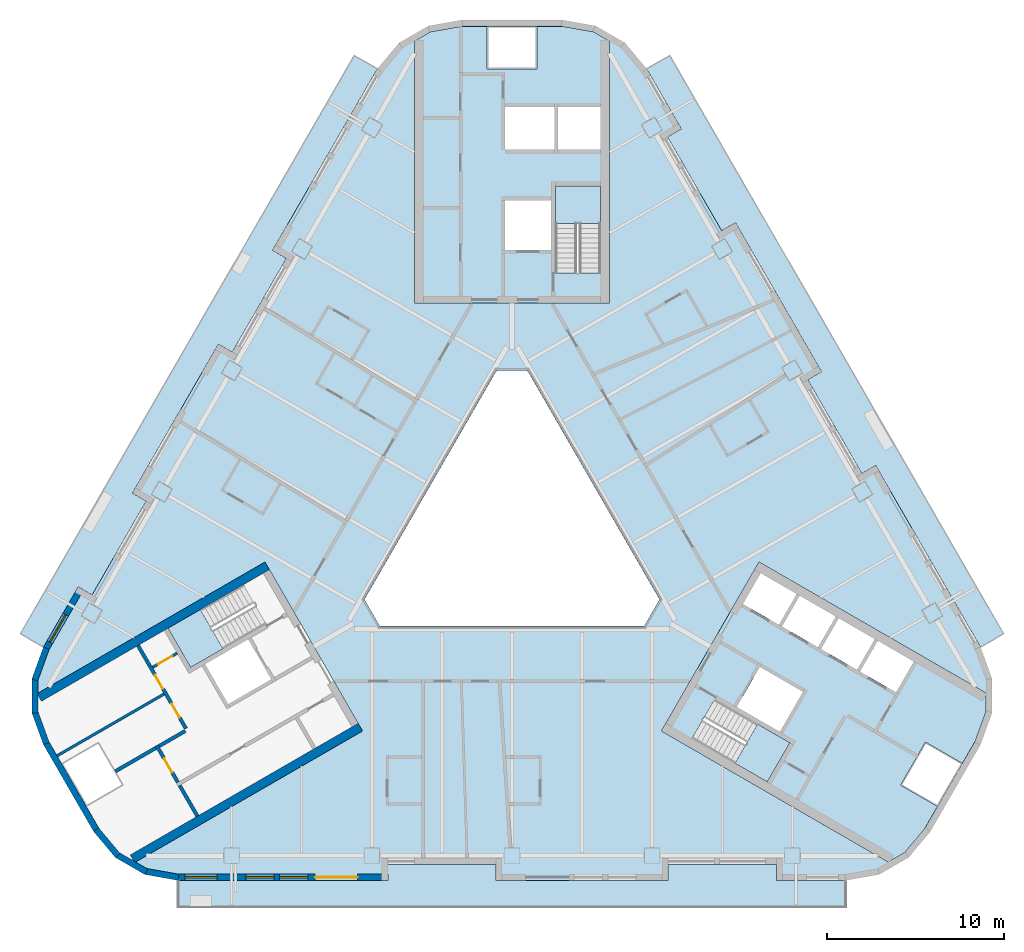
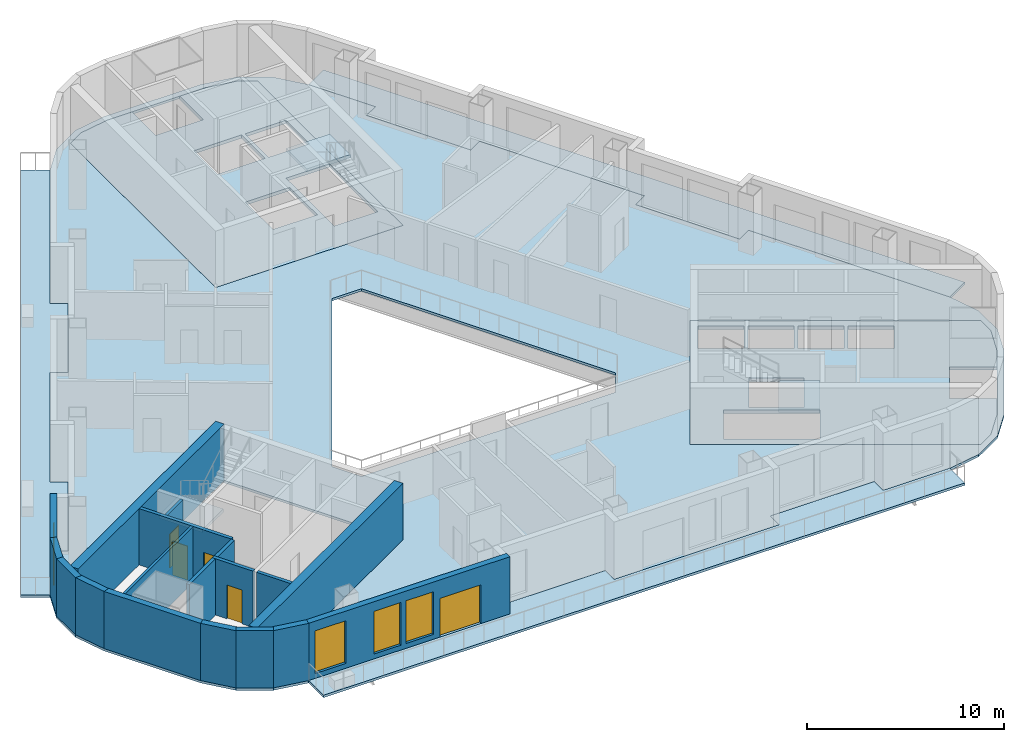
# One storey, part 2 of 13: 18 walls, 9 slabs, 5 doors, 4 windows, 9 openings, 3 elements without a shape of their own.
"""IFC4 building model written with IfcOpenShell, lengths in metres."""

import ifcopenshell
import ifcopenshell.guid

model = None  # the IFC model being written
_history = None  # IfcOwnerHistory: only IFC2X3 demands one
_inside = {}  # id of a spatial element -> (the spatial element, [elements in it])
_under = {}  # id of a project, library or spatial element -> (it, [spatial elements below it])
_declared = {}  # id of a project -> (the project, [libraries it declares])
_typed = {}  # id of a type object -> (the type object, [elements of that type])
_made_of = {}  # id of a material, layer set ... -> (it, [elements and type objects made of it])


def new_model(schema):
    """Start an empty IFC model of exactly this schema.

    Asked for "IFC4X3", IfcOpenShell would pick the latest addendum, in which some entities
    have other attributes; the version numbers below select the first issue.
    IFC2X3 requires an IfcOwnerHistory on every rooted entity: one is made here for all.
    """
    global model, _history
    if schema == "IFC4X3":
        model = ifcopenshell.file(schema_version=(4, 3, 0, 0))
    else:
        model = ifcopenshell.file(schema=schema)
    _inside.clear()
    _under.clear()
    _declared.clear()
    _typed.clear()
    _made_of.clear()
    _history = None
    if model.schema == "IFC2X3":
        org = make("IfcOrganization", Name="unknown")
        user = make(
            "IfcPersonAndOrganization",
            ThePerson=make("IfcPerson", FamilyName="unknown"),
            TheOrganization=org,
        )
        app = make(
            "IfcApplication",
            ApplicationDeveloper=org,
            Version="unknown",
            ApplicationFullName="unknown",
            ApplicationIdentifier="unknown",
        )
        _history = make(
            "IfcOwnerHistory",
            OwningUser=user,
            OwningApplication=app,
            ChangeAction="ADDED",
            CreationDate=0,
        )
    return model


def make(cls, **values):
    """One entity of the class cls with the attributes given. An attribute that is None is left unset."""
    return model.create_entity(
        cls, **{name: value for name, value in values.items() if value is not None}
    )


def rooted(cls, **values):
    """An entity with a GlobalId (a new one), such as an element, a storey or a relation."""
    return make(cls, GlobalId=ifcopenshell.guid.new(), OwnerHistory=_history, **values)


def si_unit(unit_type, name, prefix=None):
    """IfcSIUnit, for example si_unit("LENGTHUNIT", "METRE", prefix="MILLI")."""
    return make("IfcSIUnit", UnitType=unit_type, Prefix=prefix, Name=name)


def assignment(units):
    """IfcUnitAssignment: the units of a project."""
    return None if units is None else make("IfcUnitAssignment", Units=units)


def point(xyz):
    """IfcCartesianPoint."""
    return None if xyz is None else make("IfcCartesianPoint", Coordinates=xyz)


def direction(xyz):
    """IfcDirection."""
    return None if xyz is None else make("IfcDirection", DirectionRatios=xyz)


def frame(location, z_axis=None, x_axis=None):
    """IfcAxis2Placement3D, a coordinate frame: its origin and axes. An axis left out is left unset."""
    return make(
        "IfcAxis2Placement3D",
        Location=point(location),
        Axis=direction(z_axis),
        RefDirection=direction(x_axis),
    )


def frame_2d(location, x_axis=None):
    """IfcAxis2Placement2D, a coordinate frame in the plane: its origin and x axis."""
    return make(
        "IfcAxis2Placement2D", Location=point(location), RefDirection=direction(x_axis)
    )


def origin():
    """The frame at (0, 0, 0) with its axes left unset."""
    return frame((0.0, 0.0, 0.0))


def place(relative_to, where):
    """IfcLocalPlacement: puts the frame where relative to a parent placement (None: the world)."""
    return make(
        "IfcLocalPlacement", PlacementRelTo=relative_to, RelativePlacement=where
    )


def context(
    kind, dimensions, precision=None, world=None, true_north=None, identifier=None
):
    """IfcGeometricRepresentationContext, for example the 3D "Model" context."""
    return make(
        "IfcGeometricRepresentationContext",
        ContextIdentifier=identifier,
        ContextType=kind,
        CoordinateSpaceDimension=dimensions,
        Precision=precision,
        WorldCoordinateSystem=world,
        TrueNorth=true_north,
    )


def subcontext(parent, identifier, kind, view, scale=None):
    """IfcGeometricRepresentationSubContext, for example "Body" below "Model"."""
    return make(
        "IfcGeometricRepresentationSubContext",
        ContextIdentifier=identifier,
        ContextType=kind,
        ParentContext=parent,
        TargetScale=scale,
        TargetView=view,
    )


def project(units=None, contexts=None):
    """IfcProject with its units and contexts."""
    return rooted(
        "IfcProject",
        Name="project",
        RepresentationContexts=contexts,
        UnitsInContext=assignment(units),
    )


def spatial(cls, under=None, at=None, **own):
    """A site, building, storey or space (cls), placed at a placement, below another one or the project."""
    s = rooted(cls, ObjectPlacement=at, **own)
    if under is not None:
        _under.setdefault(under.id(), (under, []))[1].append(s)
    return s


def polyline(points):
    """IfcPolyline through the points."""
    return make("IfcPolyline", Points=[point(p) for p in points])


def profile(cls, at=None, kind="AREA", **sizes):
    """A parametric profile (cls). Its sizes go by their IFC names, for example OverallWidth=200.0."""
    return make(cls, ProfileType=kind, Position=at, **sizes)


def rectangle(**sizes):
    """IfcRectangleProfileDef."""
    return profile("IfcRectangleProfileDef", **sizes)


def outline(outer, holes=None, kind="AREA"):
    """IfcArbitraryClosedProfileDef: a profile drawn as a closed curve; with holes, ...WithVoids."""
    if holes is None:
        return make("IfcArbitraryClosedProfileDef", ProfileType=kind, OuterCurve=outer)
    return make(
        "IfcArbitraryProfileDefWithVoids",
        ProfileType=kind,
        OuterCurve=outer,
        InnerCurves=holes,
    )


def extrude(swept, where, along, depth):
    """IfcExtrudedAreaSolid: the profile swept, set in the frame where, extruded along a direction by depth."""
    return make(
        "IfcExtrudedAreaSolid",
        SweptArea=swept,
        Position=where,
        ExtrudedDirection=direction(along),
        Depth=depth,
    )


def shape(context_of_items, identifier, shape_type, items):
    """IfcShapeRepresentation: the items that make up one representation, for example the "Body"."""
    return make(
        "IfcShapeRepresentation",
        ContextOfItems=context_of_items,
        RepresentationIdentifier=identifier,
        RepresentationType=shape_type,
        Items=items,
    )


def material(Name=None, Category=None):
    """IfcMaterial."""
    return make("IfcMaterial", Name=Name, Category=Category)


def layer(
    of_material, thickness, ventilated=None, Name=None, Category=None, Priority=None
):
    """IfcMaterialLayer: one layer of a wall or slab, of a material (None: an air gap)."""
    return make(
        "IfcMaterialLayer",
        Material=of_material,
        LayerThickness=thickness,
        IsVentilated=ventilated,
        Name=Name,
        Category=Category,
        Priority=Priority,
    )


def layer_set(layers, Name=None):
    """IfcMaterialLayerSet."""
    return make("IfcMaterialLayerSet", MaterialLayers=layers, LayerSetName=Name)


def made_of(thing, what):
    """Note that an element or type object is made of a material, layer set ...; save() writes the relation."""
    if what is not None:
        _made_of.setdefault(what.id(), (what, []))[1].append(thing)
    return thing


def type_object(cls, material=None, **own):
    """A type object (cls), such as IfcWallType, which elements share."""
    return made_of(rooted(cls, **own), material)


def element(
    cls,
    number,
    at=None,
    inside=None,
    cuts=None,
    type_object=None,
    material=None,
    context=None,
    identifier="Body",
    shape_type=None,
    held_by="IfcProductDefinitionShape",
    body=None,
    shapes=None,
    **own,
):
    """One element of the class cls, such as IfcWall. Its Tag is "e" and its number.

    at: its placement. inside: the storey or other place that contains it. cuts: it is an
    opening in that element (IfcRelVoidsElement). A single representation is given by context,
    identifier, shape_type and body (its items); several are given by shapes. held_by: the class
    of the entity that holds the representations. save() writes the other relations.
    """
    e = rooted(cls, Tag="e%d" % number, ObjectPlacement=at, **own)
    if body is not None:
        shapes = [shape(context, identifier, shape_type, body)]
    if shapes is not None:
        e.Representation = make(held_by, Representations=shapes)
    if inside is not None:
        _inside.setdefault(inside.id(), (inside, []))[1].append(e)
    if cuts is not None:
        rooted(
            "IfcRelVoidsElement", RelatingBuildingElement=cuts, RelatedOpeningElement=e
        )
    if type_object is not None:
        _typed.setdefault(type_object.id(), (type_object, []))[1].append(e)
    return made_of(e, material)


def fill(opening, filler):
    """IfcRelFillsElement: the door or window that sits in an opening."""
    return rooted(
        "IfcRelFillsElement",
        RelatingOpeningElement=opening,
        RelatedBuildingElement=filler,
    )


def aggregate(whole, parts):
    """IfcRelAggregates: a whole, such as a stair, and the parts it consists of."""
    return rooted("IfcRelAggregates", RelatingObject=whole, RelatedObjects=parts)


def save(model, path):
    """Write the relations noted so far, then the file.

    IfcRelAggregates (storeys below a building ...), IfcRelContainedInSpatialStructure (elements
    in a storey), IfcRelDefinesByType, IfcRelAssociatesMaterial and IfcRelDeclares: one each for
    every whole, place, type object, material and project.
    """
    for whole, parts in _under.values():
        aggregate(whole, parts)
    for where, things in _inside.values():
        rooted(
            "IfcRelContainedInSpatialStructure",
            RelatedElements=things,
            RelatingStructure=where,
        )
    for kind, things in _typed.values():
        rooted("IfcRelDefinesByType", RelatedObjects=things, RelatingType=kind)
    for what, things in _made_of.values():
        rooted("IfcRelAssociatesMaterial", RelatedObjects=things, RelatingMaterial=what)
    for by, libraries in _declared.values():
        rooted("IfcRelDeclares", RelatingContext=by, RelatedDefinitions=libraries)
    model.write(path)


model = new_model("IFC4")

# Units and contexts
model_context = context("Model", 3, precision=1e-05, world=origin(), true_north=direction((0.0, 1.0)))
body_context = subcontext(model_context, "Body", "Model", "MODEL_VIEW")
ifc_project = project(units=[si_unit("LENGTHUNIT", "METRE"), si_unit("AREAUNIT", "SQUARE_METRE"), si_unit("VOLUMEUNIT", "CUBIC_METRE"), si_unit("PLANEANGLEUNIT", "RADIAN"), si_unit("MASSUNIT", "GRAM", prefix="KILO")], contexts=[model_context])

# Site, building, storey
site_placement = place(None, origin())
site = spatial("IfcSite", under=ifc_project, at=site_placement, CompositionType="ELEMENT")
building_placement = place(site_placement, origin())
building = spatial("IfcBuilding", under=site, at=building_placement, Name="Apuvela Tower Hotel", CompositionType="ELEMENT")
storey_placement = place(building_placement, frame((0.0, 0.0, 102.0)))
storey = spatial("IfcBuildingStorey", under=building, at=storey_placement, Name="L23", CompositionType="ELEMENT", Elevation=102.0)

# Slabs
ifc_material_1 = material(Name="Concrete C50/60", Category="concrete")
ifc_layer_1 = layer(ifc_material_1, 0.199951171875)
ifc_layer_set_1 = layer_set([ifc_layer_1], Name="COR-FLOOR-200")
slab_type_1 = type_object("IfcSlabType", Name="COR-FLOOR-200", PredefinedType="FLOOR", material=ifc_layer_set_1)
slab_1_placement = place(storey_placement, frame((0.0, 0.0, -0.199951171875)))
element("IfcSlab", 1, at=slab_1_placement, inside=storey, type_object=slab_type_1, Name="Core floor N", PredefinedType="FLOOR", context=body_context, shape_type="SweptSolid", body=[
    extrude(outline(polyline([(5.5, 27.668212890625), (4.588623046875, 28.1943359375), (2.85498046875, 28.5), (1.39990234375, 28.5), (1.39990234375, 26.10009765625), (-1.39990234375, 26.10009765625), (-1.39990234375, 28.5), (-2.85498046875, 28.5), (-4.588623046875, 28.1943359375), (-5.5, 27.668212890625), (-5.5, 12.89990234375), (5.5, 12.89990234375), (5.5, 27.668212890625)]), holes=[polyline([(5.0, 14.60595703125), (2.449951171875, 14.60595703125), (2.449951171875, 19.5), (5.0, 19.5), (5.0, 14.60595703125)]), polyline([(2.199951171875, 15.89990234375), (-0.39990234375, 15.89990234375), (-0.39990234375, 18.699951171875), (2.199951171875, 18.699951171875), (2.199951171875, 15.89990234375)]), polyline([(5.0, 21.550048828125), (2.60009765625, 21.550048828125), (2.60009765625, 23.949951171875), (5.0, 23.949951171875), (5.0, 21.550048828125)]), polyline([(2.39990234375, 21.550048828125), (-0.39990234375, 21.550048828125), (-0.39990234375, 23.949951171875), (2.39990234375, 23.949951171875), (2.39990234375, 21.550048828125)])]), origin(), (0.0, 0.0, 1.0), 0.199951171875),
])
slab_2_placement = place(storey_placement, frame((0.0, 0.0, -0.199951171875)))
element("IfcSlab", 2, at=slab_2_placement, inside=storey, type_object=slab_type_1, Name="Core floor SE", PredefinedType="FLOOR", context=body_context, shape_type="SweptSolid", body=[
    extrude(outline(polyline([(21.211181640625, -18.59716796875), (22.122802734375, -18.071044921875), (23.254150390625, -16.72265625), (23.981689453125, -15.46240234375), (21.9033203125, -14.262451171875), (23.30322265625, -11.837646484375), (25.381591796875, -13.03759765625), (26.109375, -11.77734375), (26.711181640625, -10.123291015625), (26.711181640625, -9.07080078125), (13.921630859375, -1.68701171875), (8.421630859375, -11.213134765625), (21.211181640625, -18.59716796875)]), holes=[polyline([(13.01806640625, -4.052001953125), (14.01806640625, -2.31982421875), (16.044677734375, -3.489990234375), (15.044677734375, -5.221923828125), (13.01806640625, -4.052001953125)]), polyline([(17.244384765625, -6.491943359375), (15.2177734375, -5.322021484375), (16.2177734375, -3.58984375), (18.244384765625, -4.760009765625), (17.244384765625, -6.491943359375)]), polyline([(14.387451171875, -14.080078125), (10.149169921875, -11.633056640625), (11.42431640625, -9.4248046875), (15.66259765625, -11.871826171875), (14.387451171875, -14.080078125)]), polyline([(12.669921875, -9.855224609375), (13.9697265625, -7.603515625), (16.394775390625, -9.003662109375), (15.0947265625, -11.25537109375), (12.669921875, -9.855224609375)]), polyline([(19.444091796875, -7.761962890625), (17.41748046875, -6.591796875), (18.41748046875, -4.85986328125), (20.444091796875, -6.02978515625), (19.444091796875, -7.761962890625)]), polyline([(21.643798828125, -9.031982421875), (19.6171875, -7.86181640625), (20.6171875, -6.1298828125), (22.643798828125, -7.2998046875), (21.643798828125, -9.031982421875)])]), origin(), (0.0, 0.0, 1.0), 0.199951171875),
])

# Stair, slab
stair_type = type_object("IfcStairType", Name="COR-STAIR-22R", PredefinedType="HALF_TURN_STAIR", material=ifc_material_1)
stair_1_placement = place(storey_placement, origin())
stair_1 = element("IfcStair", 3, at=stair_1_placement, inside=storey, type_object=stair_type, Name="L23 Exit stair ST1", PredefinedType="HALF_TURN_STAIR")
ifc_layer_2 = layer(ifc_material_1, 0.199951171875)
ifc_layer_set_2 = layer_set([ifc_layer_2], Name="COR-LANDING-200")
slab_type_2 = type_object("IfcSlabType", Name="COR-LANDING-200", PredefinedType="LANDING", material=ifc_layer_set_2)
slab_3_placement = place(storey_placement, frame((0.0, 0.0, 1.64990234375)))
slab_3 = element("IfcSlab", 4, at=slab_3_placement, type_object=slab_type_2, Name="ST1 landing 1", PredefinedType="LANDING", context=body_context, shape_type="SweptSolid", body=[
    extrude(outline(polyline([(5.0, 17.39404296875), (5.0, 19.5), (2.449951171875, 19.5), (2.449951171875, 17.39404296875), (5.0, 17.39404296875)])), origin(), (0.0, 0.0, 1.0), 0.2001953125),
])
aggregate(stair_1, [slab_3])

stair_2_placement = place(storey_placement, origin())
stair_2 = element("IfcStair", 5, at=stair_2_placement, inside=storey, type_object=stair_type, Name="L23 Exit stair ST2", PredefinedType="HALF_TURN_STAIR")
slab_4_placement = place(storey_placement, frame((0.0, 0.0, 1.64990234375)))
slab_4 = element("IfcSlab", 6, at=slab_4_placement, type_object=slab_type_2, Name="ST2 landing 1", PredefinedType="LANDING", context=body_context, shape_type="SweptSolid", body=[
    extrude(outline(polyline([(-17.563720703125, -4.366943359375), (-19.387451171875, -5.419921875), (-18.112548828125, -7.628173828125), (-16.28857421875, -6.5751953125), (-17.563720703125, -4.366943359375)])), origin(), (0.0, 0.0, 1.0), 0.2001953125),
])
aggregate(stair_2, [slab_4])

stair_3_placement = place(storey_placement, origin())
stair_3 = element("IfcStair", 7, at=stair_3_placement, inside=storey, type_object=stair_type, Name="L23 Exit stair ST3", PredefinedType="HALF_TURN_STAIR")
slab_5_placement = place(storey_placement, frame((0.0, 0.0, 1.64990234375)))
slab_5 = element("IfcSlab", 8, at=slab_5_placement, type_object=slab_type_2, Name="ST3 landing 1", PredefinedType="LANDING", context=body_context, shape_type="SweptSolid", body=[
    extrude(outline(polyline([(12.563720703125, -13.027099609375), (14.387451171875, -14.080078125), (15.66259765625, -11.871826171875), (13.838623046875, -10.81884765625), (12.563720703125, -13.027099609375)])), origin(), (0.0, 0.0, 1.0), 0.2001953125),
])
aggregate(stair_3, [slab_5])

# Slabs
ifc_material_2 = material(Name="Concrete C40/50, fair-faced", Category="concrete")
ifc_layer_3 = layer(ifc_material_2, 0.14990234375)
ifc_layer_set_3 = layer_set([ifc_layer_3], Name="ENV-BALCONY-150")
slab_type_3 = type_object("IfcSlabType", Name="ENV-BALCONY-150", PredefinedType="FLOOR", material=ifc_layer_set_3)
slab_6_placement = place(storey_placement, frame((0.0, 0.0, -0.14990234375)))
element("IfcSlab", 9, at=slab_6_placement, inside=storey, type_object=slab_type_3, Name="Balcony slab S L23", PredefinedType="FLOOR", context=body_context, shape_type="SweptSolid", body=[
    extrude(outline(polyline([(18.82080078125, -21.135009765625), (-18.82080078125, -21.135009765625), (-18.82080078125, -19.625), (-7.0048828125, -19.625), (-7.0048828125, -18.72509765625), (-0.89501953125, -18.72509765625), (-0.89501953125, -19.625), (8.794921875, -19.625), (8.794921875, -18.72509765625), (14.905029296875, -18.72509765625), (14.905029296875, -19.625), (18.82080078125, -19.625), (18.82080078125, -21.135009765625)])), origin(), (0.0, 0.0, 1.0), 0.14990234375),
])
slab_7_placement = place(storey_placement, frame((0.0, 0.0, -0.14990234375)))
element("IfcSlab", 10, at=slab_7_placement, inside=storey, type_object=slab_type_3, Name="Balcony slab NE L23", PredefinedType="FLOOR", context=body_context, shape_type="SweptSolid", body=[
    extrude(outline(polyline([(17.443359375, 9.037353515625), (12.598388671875, 17.42919921875), (11.81884765625, 16.979248046875), (8.763916015625, 22.2705078125), (9.543212890625, 22.720703125), (7.585205078125, 26.11181640625), (8.89306640625, 26.86669921875), (27.7138671875, -5.731689453125), (26.40625, -6.48681640625), (20.498291015625, 3.74609375), (19.71875, 3.2958984375), (16.663818359375, 8.58740234375), (17.443359375, 9.037353515625)])), origin(), (0.0, 0.0, 1.0), 0.14990234375),
])
slab_8_placement = place(storey_placement, frame((0.0, 0.0, -0.14990234375)))
element("IfcSlab", 11, at=slab_8_placement, inside=storey, type_object=slab_type_3, Name="Balcony slab NW L23", PredefinedType="FLOOR", context=body_context, shape_type="SweptSolid", body=[
    extrude(outline(polyline([(-27.7138671875, -5.731689453125), (-8.89306640625, 26.86669921875), (-7.585205078125, 26.11181640625), (-13.4931640625, 15.87890625), (-12.7138671875, 15.428955078125), (-15.768798828125, 10.1376953125), (-16.548095703125, 10.587646484375), (-21.393310546875, 2.19580078125), (-20.61376953125, 1.745849609375), (-23.668701171875, -3.545654296875), (-24.4482421875, -3.095703125), (-26.40625, -6.48681640625), (-27.7138671875, -5.731689453125)])), origin(), (0.0, 0.0, 1.0), 0.14990234375),
])
ifc_material_3 = material(Name="Concrete C35/45", Category="concrete")
ifc_layer_4 = layer(ifc_material_3, 0.14990234375)
ifc_layer_set_4 = layer_set([ifc_layer_4], Name="STR-SLAB 150 floor Concrete C35/45")
slab_type_4 = type_object("IfcSlabType", Name="STR-SLAB 150 floor Concrete C35/45", PredefinedType="FLOOR", material=ifc_layer_set_4)
slab_9_placement = place(storey_placement, frame((0.0, 0.0, -0.14990234375)))
element("IfcSlab", 12, at=slab_9_placement, inside=storey, type_object=slab_type_4, Name="Floor slab S4 L23", PredefinedType="FLOOR", context=body_context, shape_type="SweptSolid", body=[
    extrude(outline(polyline([(-6.3642578125, 27.5732421875), (-4.710205078125, 28.5283203125), (-2.8291015625, 28.860107421875), (2.8291015625, 28.860107421875), (4.710205078125, 28.5283203125), (6.3642578125, 27.5732421875), (7.59228515625, 26.110107421875), (9.550048828125, 22.71875), (8.770751953125, 22.268798828125), (11.82080078125, 16.986083984375), (12.60009765625, 17.43603515625), (17.4501953125, 9.035400390625), (16.670654296875, 8.58544921875), (19.720703125, 3.302734375), (20.5, 3.752685546875), (26.407958984375, -6.47998046875), (27.061279296875, -8.27490234375), (27.061279296875, -10.18505859375), (26.407958984375, -11.97998046875), (23.5791015625, -16.8798828125), (22.351318359375, -18.34326171875), (20.697021484375, -19.29833984375), (18.81591796875, -19.6298828125), (14.89990234375, -19.6298828125), (14.89990234375, -18.72998046875), (8.800048828125, -18.72998046875), (8.800048828125, -19.6298828125), (-0.89990234375, -19.6298828125), (-0.89990234375, -18.72998046875), (-7.0, -18.72998046875), (-7.0, -19.6298828125), (-18.81591796875, -19.6298828125), (-20.697021484375, -19.29833984375), (-22.351318359375, -18.34326171875), (-23.5791015625, -16.8798828125), (-26.407958984375, -11.97998046875), (-27.061279296875, -10.18505859375), (-27.061279296875, -8.27490234375), (-26.407958984375, -6.47998046875), (-24.4501953125, -3.088623046875), (-23.670654296875, -3.538818359375), (-20.62060546875, 1.743896484375), (-21.400146484375, 2.194091796875), (-16.550048828125, 10.594482421875), (-15.7705078125, 10.14453125), (-12.720703125, 15.42724609375), (-13.5, 15.877197265625), (-7.59228515625, 26.110107421875), (-6.3642578125, 27.5732421875)]), holes=[polyline([(0.865966796875, 9.10009765625), (-0.865966796875, 9.10009765625), (-8.313720703125, -3.800048828125), (-7.44775390625, -5.300048828125), (7.44775390625, -5.300048828125), (8.313720703125, -3.800048828125), (0.865966796875, 9.10009765625)]), polyline([(-5.5, 12.89990234375), (-5.5, 27.668212890625), (-4.588623046875, 28.1943359375), (-2.85498046875, 28.5), (2.85498046875, 28.5), (4.588623046875, 28.1943359375), (5.5, 27.668212890625), (5.5, 12.89990234375), (-5.5, 12.89990234375)]), polyline([(-8.421630859375, -11.213134765625), (-21.211181640625, -18.59716796875), (-22.122802734375, -18.071044921875), (-23.254150390625, -16.72265625), (-26.109375, -11.77734375), (-26.711181640625, -10.123291015625), (-26.711181640625, -9.07080078125), (-13.921630859375, -1.68701171875), (-8.421630859375, -11.213134765625)]), polyline([(13.921630859375, -1.68701171875), (26.711181640625, -9.07080078125), (26.711181640625, -10.123291015625), (26.109375, -11.77734375), (23.254150390625, -16.72265625), (22.122802734375, -18.071044921875), (21.211181640625, -18.59716796875), (8.421630859375, -11.213134765625), (13.921630859375, -1.68701171875)])]), origin(), (0.0, 0.0, 1.0), 0.14990234375),
])

# Walls
ifc_layer_5 = layer(ifc_material_1, 0.5)
ifc_layer_set_5 = layer_set([ifc_layer_5], Name="COR-WALL-CORE-500")
wall_type_1 = type_object("IfcWallType", Name="COR-WALL-CORE-500", PredefinedType="SHEAR", material=ifc_layer_set_5)
for number, where, z_axis, x_axis, name in (
    (13, (-13.796630859375, -1.9033203125, 0.0), (0.0, 0.0, 1.0), (-0.866025009528, -0.500000682871, 0.0), "Core wall SW"),
    (14, (-8.546630859375, -10.99658203125, 0.0), (0.0, 0.0, 1.0), (-0.866025009528, -0.500000682871, 0.0), "Core wall SW"),
):
    element("IfcWall", number, at=place(storey_placement, frame(where, z_axis=z_axis, x_axis=x_axis)), inside=storey, type_object=wall_type_1, Name=name, PredefinedType="SHEAR", context=body_context, shape_type="SweptSolid", body=[
        extrude(rectangle(XDim=14.8369140625, YDim=0.5, at=frame_2d((7.41845703125, 0.0))), origin(), (0.0, 0.0, 1.0), 3.5),
    ])

# Wall, opening, door
ifc_material_4 = material(Name="Blockwork 150 mm plastered", Category="masonry")
ifc_layer_6 = layer(ifc_material_4, 0.14990234375)
ifc_layer_set_6 = layer_set([ifc_layer_6], Name="COR-WALL-PART-150")
wall_type_2 = type_object("IfcWallType", Name="COR-WALL-PART-150", PredefinedType="PARTITIONING", material=ifc_layer_set_6)
wall_1_placement = place(storey_placement, frame((-18.866455078125, -6.822265625, 0.0), z_axis=(0.0, 0.0, 1.0), x_axis=(-0.866028054938, -0.499995408039, 0.0)))
wall_1 = element("IfcWall", 15, at=wall_1_placement, inside=storey, type_object=wall_type_2, Name="Partition SW", PredefinedType="PARTITIONING", context=body_context, shape_type="SweptSolid", body=[
    extrude(rectangle(XDim=1.60009765625, YDim=0.14990234375, at=frame_2d((0.800048828125, 0.0))), origin(), (0.0, 0.0, 1.0), 3.5),
])
opening_1_placement = place(wall_1_placement, frame((0.35009765625, 0.0, 0.0)))
opening_1 = element("IfcOpeningElement", 16, at=opening_1_placement, cuts=wall_1, Name="Opening W-RD", PredefinedType="OPENING", context=body_context, shape_type="SweptSolid", body=[
    extrude(rectangle(XDim=0.89990234375, YDim=2.10009765625, at=frame_2d((0.449951171875, 1.050048828125))), frame((0.0, 0.0849609375, 0.0), z_axis=(0.0, -1.0, 0.0), x_axis=(1.0, 0.0, 0.0)), (0.0, 0.0, 1.0), 0.169921875),
])
ifc_material_5 = material(Name="Steel access door, powder coated", Category="steel")
door_type_1 = type_object("IfcDoorType", Name="COR-RD-900", OperationType="NOTDEFINED", PredefinedType="DOOR", material=ifc_material_5)
door_1_placement = place(opening_1_placement, frame((0.89990234375, 0.0, 0.0), z_axis=(0.0, 0.0, 1.0), x_axis=(-1.0, 0.0, 0.0)))
door_1 = element("IfcDoor", 17, at=door_1_placement, inside=storey, type_object=door_type_1, Name="Riser door W-RD", OperationType="SINGLE_SWING_RIGHT", OverallHeight=2.10009765625, OverallWidth=0.89990234375, PredefinedType="DOOR", context=body_context, shape_type="SweptSolid", body=[
    extrude(rectangle(XDim=0.89990234375, YDim=2.10009765625, at=frame_2d((0.449951171875, 1.050048828125))), frame((0.0, 0.02490234375, 0.0), z_axis=(0.0, -1.0, 0.0), x_axis=(1.0, 0.0, 0.0)), (0.0, 0.0, 1.0), 0.050048828125),
])
fill(opening_1, door_1)

# Wall
wall_2_placement = place(storey_placement, frame((-19.61279296875, -9.129638671875, 0.0), z_axis=(0.0, 0.0, 1.0), x_axis=(-0.866031734426, -0.499989034847, 0.0)))
element("IfcWall", 18, at=wall_2_placement, inside=storey, type_object=wall_type_2, Name="Partition SW", PredefinedType="PARTITIONING", context=body_context, shape_type="SweptSolid", body=[
    extrude(rectangle(XDim=6.949951171875, YDim=0.14990234375, at=frame_2d((3.47509765625, 0.0))), origin(), (0.0, 0.0, 1.0), 3.5),
])

# Wall, openings, doors
ifc_material_6 = material(Name="Blockwork 200 mm plastered", Category="masonry")
ifc_layer_7 = layer(ifc_material_6, 0.199951171875)
ifc_layer_set_7 = layer_set([ifc_layer_7], Name="COR-WALL-PART-200")
wall_type_3 = type_object("IfcWallType", Name="COR-WALL-PART-200", PredefinedType="PARTITIONING", material=ifc_layer_set_7)
wall_3_placement = place(storey_placement, frame((-21.076171875, -6.39501953125, 0.0), z_axis=(0.0, 0.0, 1.0), x_axis=(0.50001468107, -0.866016927499, 0.0)))
wall_3 = element("IfcWall", 19, at=wall_3_placement, inside=storey, type_object=wall_type_3, Name="Partition SW", PredefinedType="PARTITIONING", context=body_context, shape_type="SweptSolid", body=[
    extrude(rectangle(XDim=5.399658203125, YDim=0.199951171875, at=frame_2d((2.69970703125, 0.0))), origin(), (0.0, 0.0, 1.0), 3.5),
])
opening_2_placement = place(wall_3_placement, frame((1.91259765625, 0.0, 0.0)))
opening_2 = element("IfcOpeningElement", 20, at=opening_2_placement, cuts=wall_3, Name="Opening W-RS1", PredefinedType="OPENING", context=body_context, shape_type="SweptSolid", body=[
    extrude(rectangle(XDim=0.89990234375, YDim=2.10009765625, at=frame_2d((0.449951171875, 1.050048828125))), frame((0.0, 0.10986328125, 0.0), z_axis=(0.0, -1.0, 0.0), x_axis=(1.0, 0.0, 0.0)), (0.0, 0.0, 1.0), 0.219970703125),
])
opening_3_placement = place(wall_3_placement, frame((3.78759765625, 0.0, 0.0)))
opening_3 = element("IfcOpeningElement", 21, at=opening_3_placement, cuts=wall_3, Name="Opening W-RS2", PredefinedType="OPENING", context=body_context, shape_type="SweptSolid", body=[
    extrude(rectangle(XDim=0.89990234375, YDim=2.10009765625, at=frame_2d((0.449951171875, 1.050048828125))), frame((0.0, 0.10986328125, 0.0), z_axis=(0.0, -1.0, 0.0), x_axis=(1.0, 0.0, 0.0)), (0.0, 0.0, 1.0), 0.219970703125),
])
ifc_material_7 = material(Name="Steel fire door, powder coated", Category="steel")
door_type_2 = type_object("IfcDoorType", Name="COR-DR-900", OperationType="NOTDEFINED", PredefinedType="DOOR", material=ifc_material_7)
door_2_placement = place(opening_2_placement, frame((0.89990234375, 0.0, 0.0), z_axis=(0.0, 0.0, 1.0), x_axis=(-1.0, 0.0, 0.0)))
door_2 = element("IfcDoor", 22, at=door_2_placement, inside=storey, type_object=door_type_2, Name="Store door W-RS1", OperationType="SINGLE_SWING_LEFT", OverallHeight=2.10009765625, OverallWidth=0.89990234375, PredefinedType="DOOR", context=body_context, shape_type="SweptSolid", body=[
    extrude(rectangle(XDim=0.89990234375, YDim=2.10009765625, at=frame_2d((0.449951171875, 1.050048828125))), frame((0.0, 0.02490234375, 0.0), z_axis=(0.0, -1.0, 0.0), x_axis=(1.0, 0.0, 0.0)), (0.0, 0.0, 1.0), 0.050048828125),
])
fill(opening_2, door_2)
door_3_placement = place(opening_3_placement, frame((0.89990234375, 0.0, 0.0), z_axis=(0.0, 0.0, 1.0), x_axis=(-1.0, 0.0, 0.0)))
door_3 = element("IfcDoor", 23, at=door_3_placement, inside=storey, type_object=door_type_2, Name="Store door W-RS2", OperationType="SINGLE_SWING_LEFT", OverallHeight=2.10009765625, OverallWidth=0.89990234375, PredefinedType="DOOR", context=body_context, shape_type="SweptSolid", body=[
    extrude(rectangle(XDim=0.89990234375, YDim=2.10009765625, at=frame_2d((0.449951171875, 1.050048828125))), frame((0.0, 0.02490234375, 0.0), z_axis=(0.0, -1.0, 0.0), x_axis=(1.0, 0.0, 0.0)), (0.0, 0.0, 1.0), 0.050048828125),
])
fill(opening_3, door_3)

# Wall, opening, door
ifc_layer_8 = layer(ifc_material_1, 0.199951171875)
ifc_layer_set_8 = layer_set([ifc_layer_8], Name="COR-WALL-SHAFT-200")
wall_type_4 = type_object("IfcWallType", Name="COR-WALL-SHAFT-200", PredefinedType="SHEAR", material=ifc_layer_set_8)
wall_4_placement = place(storey_placement, frame((-20.030517578125, -12.0263671875, 0.0), z_axis=(0.0, 0.0, 1.0), x_axis=(0.500033551112, -0.866006032174, 0.0)))
wall_4 = element("IfcWall", 24, at=wall_4_placement, inside=storey, type_object=wall_type_4, Name="Shaft wall SW", PredefinedType="SHEAR", context=body_context, shape_type="SweptSolid", body=[
    extrude(rectangle(XDim=2.400146484375, YDim=0.199951171875, at=frame_2d((1.2001953125, 0.0))), origin(), (0.0, 0.0, 1.0), 3.5),
])
opening_4_placement = place(wall_4_placement, frame((0.85009765625, 0.0, 0.0)))
opening_4 = element("IfcOpeningElement", 25, at=opening_4_placement, cuts=wall_4, Name="Opening W-REP", PredefinedType="OPENING", context=body_context, shape_type="SweptSolid", body=[
    extrude(rectangle(XDim=0.89990234375, YDim=2.10009765625, at=frame_2d((0.449951171875, 1.050048828125))), frame((0.0, 0.10986328125, 0.0), z_axis=(0.0, -1.0, 0.0), x_axis=(1.0, 0.0, 0.0)), (0.0, 0.0, 1.0), 0.219970703125),
])
door_4_placement = place(opening_4_placement, frame((0.89990234375, 0.0, 0.0), z_axis=(0.0, 0.0, 1.0), x_axis=(-1.0, 0.0, 0.0)))
door_4 = element("IfcDoor", 26, at=door_4_placement, inside=storey, type_object=door_type_2, Name="Store door W-REP", OperationType="SINGLE_SWING_LEFT", OverallHeight=2.10009765625, OverallWidth=0.89990234375, PredefinedType="DOOR", context=body_context, shape_type="SweptSolid", body=[
    extrude(rectangle(XDim=0.89990234375, YDim=2.10009765625, at=frame_2d((0.449951171875, 1.050048828125))), frame((0.0, 0.02490234375, 0.0), z_axis=(0.0, -1.0, 0.0), x_axis=(1.0, 0.0, 0.0)), (0.0, 0.0, 1.0), 0.050048828125),
])
fill(opening_4, door_4)

# Walls
wall_5_placement = place(storey_placement, frame((-18.412841796875, -11.2080078125, 0.0), z_axis=(0.0, 0.0, 1.0), x_axis=(-0.866038183914, -0.499977863513, 0.0)))
element("IfcWall", 27, at=wall_5_placement, inside=storey, type_object=wall_type_4, Name="Shaft wall SW", PredefinedType="SHEAR", context=body_context, shape_type="SweptSolid", body=[
    extrude(rectangle(XDim=1.7099609375, YDim=0.199951171875, at=frame_2d((0.85498046875, 0.0))), origin(), (0.0, 0.0, 1.0), 3.5),
])
wall_6_placement = place(storey_placement, frame((-18.73046875, -14.278076171875, 0.0), z_axis=(0.0, 0.0, 1.0), x_axis=(0.50002537861, -0.866010750942, 0.0)))
element("IfcWall", 28, at=wall_6_placement, inside=storey, type_object=wall_type_4, Name="Shaft wall SW", PredefinedType="SHEAR", context=body_context, shape_type="SweptSolid", body=[
    extrude(rectangle(XDim=2.0, YDim=0.199951171875, at=frame_2d((1.0, 0.0))), origin(), (0.0, 0.0, 1.0), 3.5),
])
wall_7_placement = place(storey_placement, frame((-20.06689453125, -12.1630859375, 0.0), z_axis=(0.0, 0.0, 1.0), x_axis=(-0.866060851709, -0.499938597367, 0.0)))
element("IfcWall", 29, at=wall_7_placement, inside=storey, type_object=wall_type_4, Name="Shaft wall SW", PredefinedType="SHEAR", context=body_context, shape_type="SweptSolid", body=[
    extrude(rectangle(XDim=2.639892578125, YDim=0.199951171875, at=frame_2d((1.31982421875, 0.0))), origin(), (0.0, 0.0, 1.0), 3.5),
])

# Wall, opening, window
ifc_material_8 = material(Name="Concrete C40/50, dark pigmented precast panel", Category="concrete")
ifc_layer_9 = layer(ifc_material_8, 0.35009765625)
ifc_layer_set_9 = layer_set([ifc_layer_9], Name="ENV-WALL-350")
wall_type_5 = type_object("IfcWallType", Name="ENV-WALL-350", PredefinedType="SOLIDWALL", material=ifc_layer_set_9)
wall_8_placement = place(storey_placement, frame((-24.298583984375, -3.17626953125, 0.0), z_axis=(0.0, 0.0, 1.0), x_axis=(-0.500028278809, -0.866009076391, 0.0)))
wall_8 = element("IfcWall", 30, at=wall_8_placement, inside=storey, type_object=wall_type_5, Name="External wall L23-09", PredefinedType="SOLIDWALL", context=body_context, shape_type="SweptSolid", body=[
    extrude(rectangle(XDim=3.915771484375, YDim=0.35009765625, at=frame_2d((1.9580078125, 0.0))), origin(), (0.0, 0.0, 1.0), 3.550048828125),
])
opening_5_placement = place(wall_8_placement, frame((1.699951171875, 0.0, 0.300048828125)))
opening_5 = element("IfcOpeningElement", 31, at=opening_5_placement, cuts=wall_8, Name="Opening WN18", PredefinedType="OPENING", context=body_context, shape_type="SweptSolid", body=[
    extrude(rectangle(XDim=1.800048828125, YDim=2.64990234375, at=frame_2d((0.89990234375, 1.324951171875))), frame((0.0, 0.18505859375, 0.0), z_axis=(0.0, -1.0, 0.0), x_axis=(1.0, 0.0, 0.0)), (0.0, 0.0, 1.0), 0.3701171875),
])
ifc_material_9 = material(Name="Glass, dark tinted laminated insulated glazing unit", Category="glass")
window_type_1 = type_object("IfcWindowType", Name="ENV-WIN-1800x2650", PartitioningType="SINGLE_PANEL", PredefinedType="WINDOW", material=ifc_material_9)
window_1_placement = place(opening_5_placement, origin())
window_1 = element("IfcWindow", 32, at=window_1_placement, inside=storey, type_object=window_type_1, Name="Window WN18", OverallHeight=2.64990234375, OverallWidth=1.800048828125, PartitioningType="SINGLE_PANEL", PredefinedType="WINDOW", context=body_context, shape_type="SweptSolid", body=[
    extrude(rectangle(XDim=1.800048828125, YDim=2.64990234375, at=frame_2d((0.89990234375, 1.324951171875))), frame((0.0, 0.030029296875, 0.0), z_axis=(0.0, -1.0, 0.0), x_axis=(1.0, 0.0, 0.0)), (0.0, 0.0, 1.0), 0.06005859375),
])
fill(opening_5, window_1)

# Walls
for number, where, z_axis, x_axis, name in (
    (33, (-26.24365234375, -6.539794921875, 0.0), (0.0, 0.0, 1.0), (-0.342030395486, -0.939688889242, 0.0), "External wall L23-10"),
    (34, (-26.88623046875, -8.27490234375, 0.0), (0.0, 0.0, 1.0), (0.0, -1.0, 0.0), "External wall L23-11"),
    (35, (-26.89697265625, -10.125244140625, 0.0), (0.0, 0.0, 1.0), (0.342030395486, -0.939688889242, 0.0), "External wall L23-12"),
):
    element("IfcWall", number, at=place(storey_placement, frame(where, z_axis=z_axis, x_axis=x_axis)), inside=storey, type_object=wall_type_5, Name=name, PredefinedType="SOLIDWALL", context=body_context, shape_type="SweptSolid", body=[
        extrude(rectangle(XDim=1.91015625, YDim=0.35009765625, at=frame_2d((0.955078125, 0.0))), origin(), (0.0, 0.0, 1.0), 3.550048828125),
    ])
wall_9_placement = place(storey_placement, frame((-26.256591796875, -11.892578125, 0.0), z_axis=(0.0, 0.0, 1.0), x_axis=(0.500018773155, -0.866014564827, 0.0)))
element("IfcWall", 36, at=wall_9_placement, inside=storey, type_object=wall_type_5, Name="External wall L23-13", PredefinedType="SOLIDWALL", context=body_context, shape_type="SweptSolid", body=[
    extrude(rectangle(XDim=5.657958984375, YDim=0.35009765625, at=frame_2d((2.8291015625, 0.0))), origin(), (0.0, 0.0, 1.0), 3.550048828125),
])
for number, where, z_axis, x_axis, name in (
    (37, (-23.44482421875, -16.767578125, 0.0), (0.0, 0.0, 1.0), (0.642733291068, -0.76609001857, 0.0), "External wall L23-14"),
    (38, (-22.263671875, -18.191650390625, 0.0), (0.0, 0.0, 1.0), (0.866000389056, -0.500043324278, 0.0), "External wall L23-15"),
):
    element("IfcWall", number, at=place(storey_placement, frame(where, z_axis=z_axis, x_axis=x_axis)), inside=storey, type_object=wall_type_5, Name=name, PredefinedType="SOLIDWALL", context=body_context, shape_type="SweptSolid", body=[
        extrude(rectangle(XDim=1.909912109375, YDim=0.35009765625, at=frame_2d((0.955078125, 0.0))), origin(), (0.0, 0.0, 1.0), 3.550048828125),
    ])
wall_10_placement = place(storey_placement, frame((-20.66650390625, -19.1259765625, 0.0), z_axis=(0.0, 0.0, 1.0), x_axis=(0.984798995425, -0.173697837091, 0.0)))
element("IfcWall", 39, at=wall_10_placement, inside=storey, type_object=wall_type_5, Name="External wall L23-16", PredefinedType="SOLIDWALL", context=body_context, shape_type="SweptSolid", body=[
    extrude(rectangle(XDim=1.91015625, YDim=0.35009765625, at=frame_2d((0.955078125, 0.0))), origin(), (0.0, 0.0, 1.0), 3.550048828125),
])

# Wall, openings, door, windows
wall_11_placement = place(storey_placement, frame((-18.81591796875, -19.455078125, 0.0), z_axis=(0.0, 0.0, 1.0), x_axis=(1.0, 0.0, 0.0)))
wall_11 = element("IfcWall", 40, at=wall_11_placement, inside=storey, type_object=wall_type_5, Name="External wall L23-17", PredefinedType="SOLIDWALL", context=body_context, shape_type="SweptSolid", body=[
    extrude(rectangle(XDim=11.81591796875, YDim=0.35009765625, at=frame_2d((5.907958984375, 0.0))), origin(), (0.0, 0.0, 1.0), 3.550048828125),
])
opening_6_placement = place(wall_11_placement, frame((0.380615234375, 0.0, 0.300048828125)))
opening_6 = element("IfcOpeningElement", 41, at=opening_6_placement, cuts=wall_11, Name="Opening WN18", PredefinedType="OPENING", context=body_context, shape_type="SweptSolid", body=[
    extrude(rectangle(XDim=1.800048828125, YDim=2.64990234375, at=frame_2d((0.89990234375, 1.324951171875))), frame((0.0, 0.18505859375, 0.0), z_axis=(0.0, -1.0, 0.0), x_axis=(1.0, 0.0, 0.0)), (0.0, 0.0, 1.0), 0.3701171875),
])
opening_7_placement = place(wall_11_placement, frame((7.71630859375, 0.0, 0.0)))
opening_7 = element("IfcOpeningElement", 42, at=opening_7_placement, cuts=wall_11, Name="Opening BD24", PredefinedType="OPENING", context=body_context, shape_type="SweptSolid", body=[
    extrude(rectangle(XDim=2.39990234375, YDim=2.39990234375, at=frame_2d((1.199951171875, 1.199951171875))), frame((0.0, 0.18505859375, 0.0), z_axis=(0.0, -1.0, 0.0), x_axis=(1.0, 0.0, 0.0)), (0.0, 0.0, 1.0), 0.3701171875),
])
opening_8_placement = place(wall_11_placement, frame((3.816162109375, 0.0, 0.300048828125)))
opening_8 = element("IfcOpeningElement", 43, at=opening_8_placement, cuts=wall_11, Name="Opening WN16", PredefinedType="OPENING", context=body_context, shape_type="SweptSolid", body=[
    extrude(rectangle(XDim=1.60009765625, YDim=2.64990234375, at=frame_2d((0.800048828125, 1.324951171875))), frame((0.0, 0.18505859375, 0.0), z_axis=(0.0, -1.0, 0.0), x_axis=(1.0, 0.0, 0.0)), (0.0, 0.0, 1.0), 0.3701171875),
])
opening_9_placement = place(wall_11_placement, frame((5.71630859375, 0.0, 0.300048828125)))
opening_9 = element("IfcOpeningElement", 44, at=opening_9_placement, cuts=wall_11, Name="Opening WN16", PredefinedType="OPENING", context=body_context, shape_type="SweptSolid", body=[
    extrude(rectangle(XDim=1.60009765625, YDim=2.64990234375, at=frame_2d((0.800048828125, 1.324951171875))), frame((0.0, 0.18505859375, 0.0), z_axis=(0.0, -1.0, 0.0), x_axis=(1.0, 0.0, 0.0)), (0.0, 0.0, 1.0), 0.3701171875),
])
ifc_material_10 = material(Name="Aluminium 6063-T6, dark bronze anodised frame with dark tinted laminated glass", Category="aluminium")
door_type_3 = type_object("IfcDoorType", Name="ENV-DOOR-BALCONY-2400x2400", OperationType="SLIDING_TO_LEFT", PredefinedType="DOOR", material=ifc_material_10)
door_5_placement = place(opening_7_placement, frame((2.39990234375, 0.0, 0.0), z_axis=(0.0, 0.0, 1.0), x_axis=(-1.0, 0.0, 0.0)))
door_5 = element("IfcDoor", 45, at=door_5_placement, inside=storey, type_object=door_type_3, Name="Balcony door BD24", OperationType="SLIDING_TO_LEFT", OverallHeight=2.39990234375, OverallWidth=2.39990234375, PredefinedType="DOOR", context=body_context, shape_type="SweptSolid", body=[
    extrude(rectangle(XDim=2.39990234375, YDim=2.39990234375, at=frame_2d((1.199951171875, 1.199951171875))), frame((0.0, 0.02490234375, 0.0), z_axis=(0.0, -1.0, 0.0), x_axis=(1.0, 0.0, 0.0)), (0.0, 0.0, 1.0), 0.050048828125),
])
fill(opening_7, door_5)
window_type_2 = type_object("IfcWindowType", Name="ENV-WIN-1600x2650", PartitioningType="SINGLE_PANEL", PredefinedType="WINDOW", material=ifc_material_9)
window_2_placement = place(opening_8_placement, origin())
window_2 = element("IfcWindow", 46, at=window_2_placement, inside=storey, type_object=window_type_2, Name="Window WN16", OverallHeight=2.64990234375, OverallWidth=1.60009765625, PartitioningType="SINGLE_PANEL", PredefinedType="WINDOW", context=body_context, shape_type="SweptSolid", body=[
    extrude(rectangle(XDim=1.60009765625, YDim=2.64990234375, at=frame_2d((0.800048828125, 1.324951171875))), frame((0.0, 0.030029296875, 0.0), z_axis=(0.0, -1.0, 0.0), x_axis=(1.0, 0.0, 0.0)), (0.0, 0.0, 1.0), 0.06005859375),
])
fill(opening_8, window_2)
window_3_placement = place(opening_9_placement, origin())
window_3 = element("IfcWindow", 47, at=window_3_placement, inside=storey, type_object=window_type_2, Name="Window WN16", OverallHeight=2.64990234375, OverallWidth=1.60009765625, PartitioningType="SINGLE_PANEL", PredefinedType="WINDOW", context=body_context, shape_type="SweptSolid", body=[
    extrude(rectangle(XDim=1.60009765625, YDim=2.64990234375, at=frame_2d((0.800048828125, 1.324951171875))), frame((0.0, 0.030029296875, 0.0), z_axis=(0.0, -1.0, 0.0), x_axis=(1.0, 0.0, 0.0)), (0.0, 0.0, 1.0), 0.06005859375),
])
fill(opening_9, window_3)
window_4_placement = place(opening_6_placement, origin())
window_4 = element("IfcWindow", 48, at=window_4_placement, inside=storey, type_object=window_type_1, Name="Window WN18", OverallHeight=2.64990234375, OverallWidth=1.800048828125, PartitioningType="SINGLE_PANEL", PredefinedType="WINDOW", context=body_context, shape_type="SweptSolid", body=[
    extrude(rectangle(XDim=1.800048828125, YDim=2.64990234375, at=frame_2d((0.89990234375, 1.324951171875))), frame((0.0, 0.030029296875, 0.0), z_axis=(0.0, -1.0, 0.0), x_axis=(1.0, 0.0, 0.0)), (0.0, 0.0, 1.0), 0.06005859375),
])
fill(opening_6, window_4)

save(model, "model.ifc")
